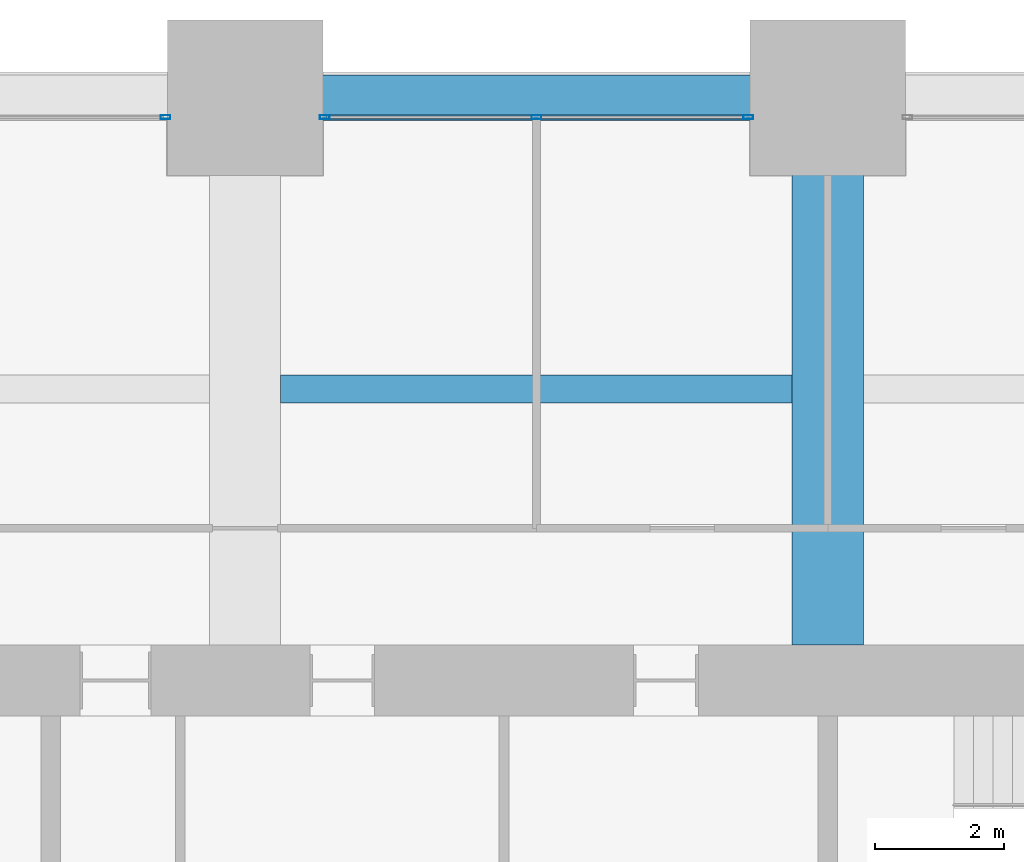
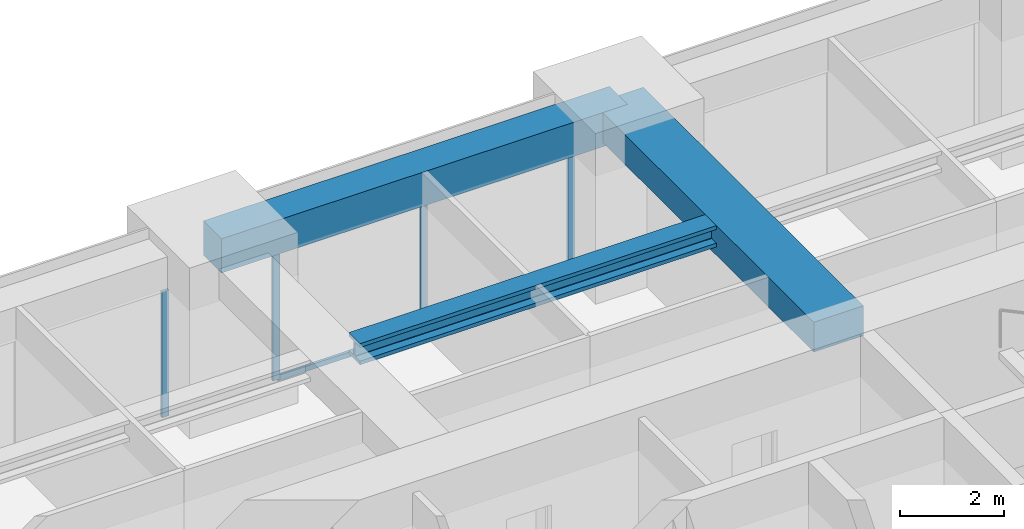
# One storey, part 25 of 32: 5 members, 3 beams, 2 elements without a shape of their own.
"""IFC4 building model written with IfcOpenShell, lengths in metres."""

from ifc_helpers import new_model, si_unit, direction, frame, origin, origin_2d, place, context, subcontext, project, spatial, rectangle, hollow_rectangle, i_section, extrude, material, material_profile, profile_set, type_object, element, aggregate, save


model = new_model("IFC4")

# Units and contexts
model_context = context("Model", 3, precision=1e-05, world=origin(), true_north=direction((0.0, 1.0)))
body_context = subcontext(model_context, "Body", "Model", "MODEL_VIEW")
ifc_project = project(units=[si_unit("LENGTHUNIT", "METRE"), si_unit("AREAUNIT", "SQUARE_METRE"), si_unit("VOLUMEUNIT", "CUBIC_METRE"), si_unit("PLANEANGLEUNIT", "RADIAN"), si_unit("MASSUNIT", "GRAM", prefix="KILO")], contexts=[model_context])

# Site, building, storey
site_placement = place(None, origin())
site = spatial("IfcSite", under=ifc_project, at=site_placement, CompositionType="ELEMENT")
building_placement = place(site_placement, origin())
building = spatial("IfcBuilding", under=site, at=building_placement, Name="Zorevar Civic Tower", CompositionType="ELEMENT")
storey_placement = place(building_placement, frame((0.0, 0.0, 202.199951171875)))
storey = spatial("IfcBuildingStorey", under=building, at=storey_placement, Name="L49", CompositionType="ELEMENT", Elevation=202.199951171875)

# Beam
ifc_material_1 = material(Name="Concrete C50/60", Category="concrete")
ifc_material_profile_1 = material_profile(ifc_material_1, rectangle(XDim=1.10009765625, YDim=0.699951171875, at=origin_2d()), Name="RC 1100x700")
ifc_profile_set_1 = profile_set([ifc_material_profile_1], Name="Concrete C50/60")
beam_type_1 = type_object("IfcBeamType", Name="Beam RC 1100x700", PredefinedType="BEAM", material=ifc_profile_set_1)
beam_1_placement = place(storey_placement, frame((36.0, 36.550048828125, 3.400146484375), z_axis=(0.0, 1.0, 0.0), x_axis=(-1.0, 0.0, 0.0)))
element("IfcBeam", 1, at=beam_1_placement, inside=storey, type_object=beam_type_1, Name="Girder L50", PredefinedType="BEAM", context=body_context, shape_type="SweptSolid", body=[
    extrude(rectangle(XDim=1.10009765625, YDim=0.699951171875, at=origin_2d()), origin(), (0.0, 0.0, 1.0), 8.449951171875),
])

# Curtain wall, member
ifc_material_2 = material(Name="Dark grey solar-control glass in black aluminium frame", Category="aluminium")
curtain_wall_type = type_object("IfcCurtainWallType", Name="Curtain wall CW4 high zone", PredefinedType="NOTDEFINED", material=ifc_material_2)
curtain_wall_1_placement = place(storey_placement, origin())
curtain_wall_1 = element("IfcCurtainWall", 2, at=curtain_wall_1_placement, inside=storey, type_object=curtain_wall_type, Name="CW4 L49", PredefinedType="NOTDEFINED")
ifc_material_3 = material(Name="Aluminium, black anodised", Category="aluminium")
ifc_material_profile_2 = material_profile(ifc_material_3, hollow_rectangle(XDim=0.06005859375, YDim=0.14990234375, WallThickness=0.00390625, at=origin_2d()), Name="AL 150x60x4")
ifc_profile_set_2 = profile_set([ifc_material_profile_2], Name="Aluminium, black anodised")
member_type_1 = type_object("IfcMemberType", Name="CW4 mullion AL 150x60x4", PredefinedType="MULLION", material=ifc_profile_set_2)
member_1_placement = place(storey_placement, frame((25.77001953125, 44.699951171875, 0.0), z_axis=(0.0, 0.0, 1.0), x_axis=(0.0, 1.0, 0.0)))
member_1 = element("IfcMember", 3, at=member_1_placement, type_object=member_type_1, Name="CW4 mullion 3", PredefinedType="MULLION", context=body_context, shape_type="SweptSolid", body=[
    extrude(hollow_rectangle(XDim=0.06005859375, YDim=0.14990234375, WallThickness=0.00390625, at=origin_2d()), origin(), (0.0, 0.0, 1.0), 2.949951171875),
])
aggregate(curtain_wall_1, [member_1])

# Curtain wall, members
curtain_wall_2_placement = place(storey_placement, origin())
curtain_wall_2 = element("IfcCurtainWall", 4, at=curtain_wall_2_placement, inside=storey, type_object=curtain_wall_type, Name="CW4 L49", PredefinedType="NOTDEFINED")
member_2_placement = place(storey_placement, frame((28.22998046875, 44.699951171875, 0.0), z_axis=(0.0, 0.0, 1.0), x_axis=(0.0, 1.0, 0.0)))
member_2 = element("IfcMember", 5, at=member_2_placement, type_object=member_type_1, Name="CW4 mullion 1", PredefinedType="MULLION", context=body_context, shape_type="SweptSolid", body=[
    extrude(hollow_rectangle(XDim=0.06005859375, YDim=0.14990234375, WallThickness=0.00390625, at=origin_2d()), origin(), (0.0, 0.0, 1.0), 2.949951171875),
])
member_3_placement = place(storey_placement, frame((31.5, 44.699951171875, 0.06005859375), z_axis=(0.0, 0.0, 1.0), x_axis=(0.0, 1.0, 0.0)))
member_3 = element("IfcMember", 6, at=member_3_placement, type_object=member_type_1, Name="CW4 mullion 2", PredefinedType="MULLION", context=body_context, shape_type="SweptSolid", body=[
    extrude(hollow_rectangle(XDim=0.06005859375, YDim=0.14990234375, WallThickness=0.00390625, at=origin_2d()), origin(), (0.0, 0.0, 1.0), 2.889892578125),
])
member_4_placement = place(storey_placement, frame((34.77001953125, 44.699951171875, 0.0), z_axis=(0.0, 0.0, 1.0), x_axis=(0.0, 1.0, 0.0)))
member_4 = element("IfcMember", 7, at=member_4_placement, type_object=member_type_1, Name="CW4 mullion 3", PredefinedType="MULLION", context=body_context, shape_type="SweptSolid", body=[
    extrude(hollow_rectangle(XDim=0.06005859375, YDim=0.14990234375, WallThickness=0.00390625, at=origin_2d()), origin(), (0.0, 0.0, 1.0), 2.949951171875),
])
ifc_material_4 = material(Name="Aluminium, black anodised", Category="aluminium")
ifc_material_profile_3 = material_profile(ifc_material_4, hollow_rectangle(XDim=0.06005859375, YDim=0.1201171875, WallThickness=0.0029296875, at=origin_2d()), Name="AL 120x60x3")
ifc_profile_set_3 = profile_set([ifc_material_profile_3], Name="Aluminium, black anodised")
member_type_2 = type_object("IfcMemberType", Name="CW4 transom AL 120x60x3", PredefinedType="USERDEFINED", material=ifc_profile_set_3)
member_5_placement = place(storey_placement, frame((28.260009765625, 44.699951171875, 0.030029296875), z_axis=(1.0, 0.0, 0.0), x_axis=(0.0, 1.0, 0.0)))
member_5 = element("IfcMember", 8, at=member_5_placement, type_object=member_type_2, Name="CW4 sill transom", ObjectType="TRANSOM", PredefinedType="USERDEFINED", context=body_context, shape_type="SweptSolid", body=[
    extrude(hollow_rectangle(XDim=0.06005859375, YDim=0.1201171875, WallThickness=0.0029296875, at=origin_2d()), origin(), (0.0, 0.0, 1.0), 6.47998046875),
])
aggregate(curtain_wall_2, [member_2, member_3, member_4, member_5])

# Beams
ifc_material_5 = material(Name="Steel S460M (HISTAR 460)", Category="steel")
ifc_material_profile_4 = material_profile(ifc_material_5, i_section(OverallWidth=0.431884765625, OverallDepth=0.498046875, WebThickness=0.0556640625, FlangeThickness=0.0888671875, FilletRadius=0.014892578125, at=origin_2d()), Name="HD 400x744")
ifc_profile_set_4 = profile_set([ifc_material_profile_4], Name="Steel S460M (HISTAR 460)")
beam_type_2 = type_object("IfcBeamType", Name="Core bay beam HD 400x744", PredefinedType="BEAM", material=ifc_profile_set_4)
beam_2_placement = place(storey_placement, frame((27.550048828125, 40.5, 3.5009765625), z_axis=(1.0, 0.0, 0.0), x_axis=(0.0, 1.0, 0.0)))
element("IfcBeam", 9, at=beam_2_placement, inside=storey, type_object=beam_type_2, Name="Secondary beam L50", PredefinedType="BEAM", context=body_context, shape_type="SweptSolid", body=[
    extrude(i_section(OverallWidth=0.431884765625, OverallDepth=0.498046875, WebThickness=0.0556640625, FlangeThickness=0.0888671875, FilletRadius=0.014892578125, at=origin_2d()), origin(), (0.0, 0.0, 1.0), 7.89990234375),
])
ifc_material_6 = material(Name="Concrete C50/60", Category="concrete")
ifc_material_profile_5 = material_profile(ifc_material_6, rectangle(XDim=0.699951171875, YDim=0.800048828125, at=origin_2d()), Name="RC 700x800")
ifc_profile_set_5 = profile_set([ifc_material_profile_5], Name="Concrete C50/60")
beam_type_3 = type_object("IfcBeamType", Name="Edge beam RC 700x800", PredefinedType="SPANDREL", material=ifc_profile_set_5)
beam_3_placement = place(storey_placement, frame((27.0, 45.0, 3.35009765625), z_axis=(1.0, 0.0, 0.0), x_axis=(0.0, 1.0, 0.0)))
element("IfcBeam", 10, at=beam_3_placement, inside=storey, type_object=beam_type_3, Name="Edge beam L50", PredefinedType="SPANDREL", context=body_context, shape_type="SweptSolid", body=[
    extrude(rectangle(XDim=0.699951171875, YDim=0.800048828125, at=origin_2d()), origin(), (0.0, 0.0, 1.0), 9.0),
])

save(model, "model.ifc")
